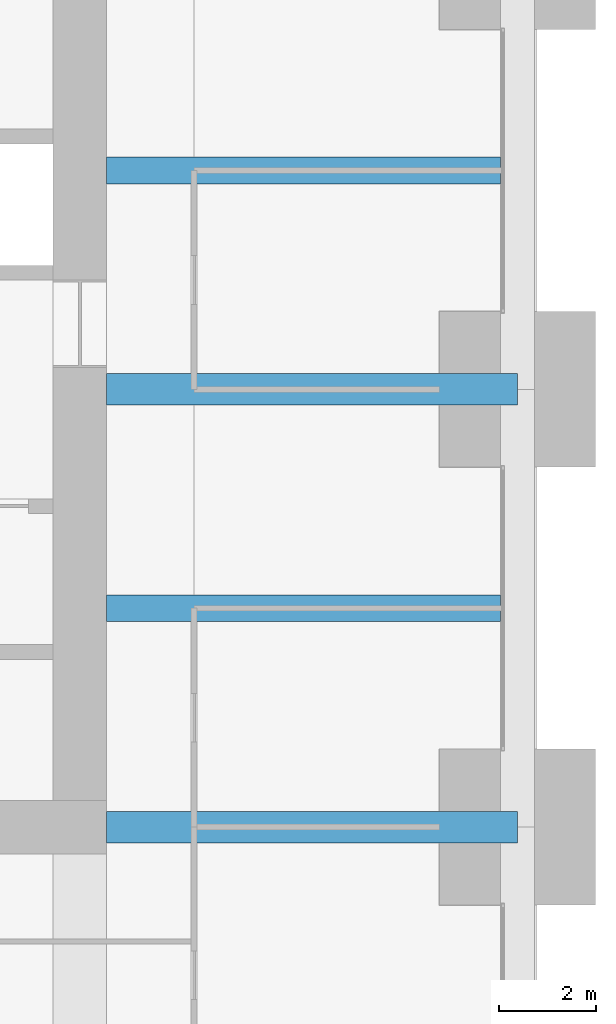
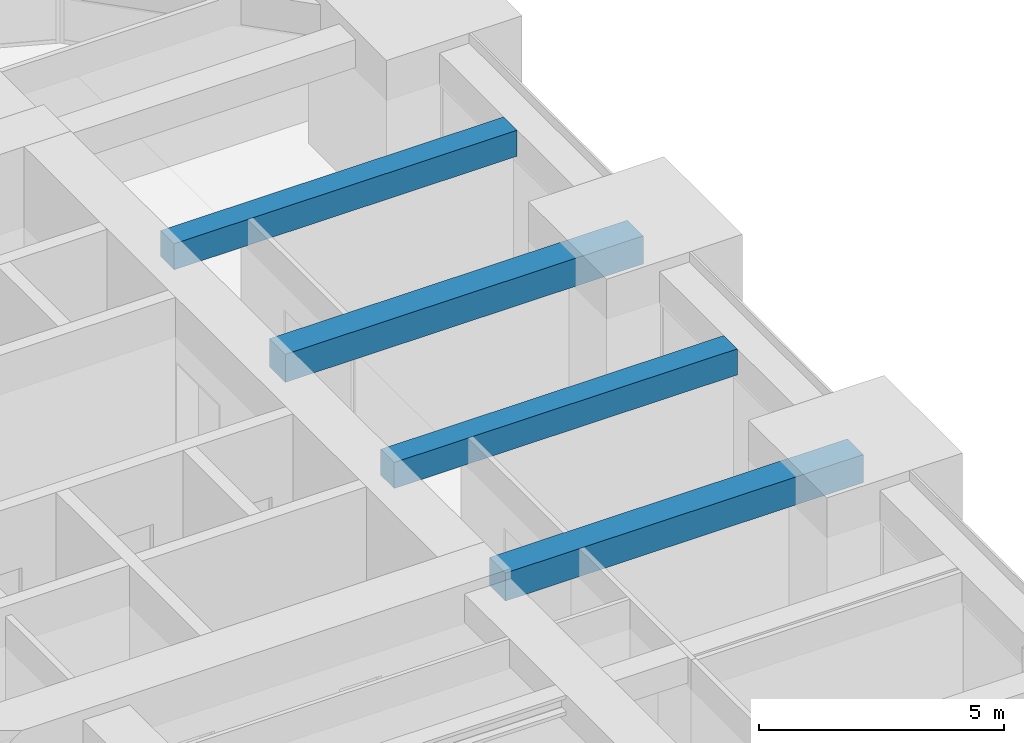
# One storey, part 20 of 40: 4 beams.
"""IFC4 building model written with IfcOpenShell, lengths in metres."""

from ifc_helpers import new_model, si_unit, direction, frame, origin, origin_2d, place, context, subcontext, project, spatial, rectangle, extrude, material, material_profile, profile_set, type_object, element, save


model = new_model("IFC4")

# Units and contexts
model_context = context("Model", 3, precision=1e-05, world=origin(), true_north=direction((0.0, 1.0)))
body_context = subcontext(model_context, "Body", "Model", "MODEL_VIEW")
ifc_project = project(units=[si_unit("LENGTHUNIT", "METRE"), si_unit("AREAUNIT", "SQUARE_METRE"), si_unit("VOLUMEUNIT", "CUBIC_METRE"), si_unit("PLANEANGLEUNIT", "RADIAN"), si_unit("MASSUNIT", "GRAM", prefix="KILO")], contexts=[model_context])

# Site, building, storey
site_placement = place(None, origin())
site = spatial("IfcSite", under=ifc_project, at=site_placement, CompositionType="ELEMENT")
building_placement = place(site_placement, origin())
building = spatial("IfcBuilding", under=site, at=building_placement, Name="Zorevar Civic Tower", CompositionType="ELEMENT")
storey_placement = place(building_placement, frame((0.0, 0.0, 239.39990234375)))
storey = spatial("IfcBuildingStorey", under=building, at=storey_placement, Name="L58", CompositionType="ELEMENT", Elevation=239.39990234375)

# Beams
ifc_material_1 = material(Name="Concrete C50/60", Category="concrete")
ifc_material_profile_1 = material_profile(ifc_material_1, rectangle(XDim=0.550048828125, YDim=0.64990234375, at=origin_2d()), Name="RC 550x650")
ifc_profile_set_1 = profile_set([ifc_material_profile_1], Name="Concrete C50/60")
beam_type_1 = type_object("IfcBeamType", Name="Beam RC 550x650", PredefinedType="BEAM", material=ifc_profile_set_1)
for number, where, z_axis, x_axis, name in (
    (1, (45.550048828125, 22.5, 3.425048828125), (1.0, 0.0, 0.0), (0.0, 1.0, 0.0), "Secondary beam L59"),
    (2, (45.550048828125, 31.5, 3.425048828125), (1.0, 0.0, 0.0), (0.0, 1.0, 0.0), "Secondary beam L59"),
):
    element("IfcBeam", number, at=place(storey_placement, frame(where, z_axis=z_axis, x_axis=x_axis)), inside=storey, type_object=beam_type_1, Name=name, PredefinedType="BEAM", context=body_context, shape_type="SweptSolid", body=[
        extrude(rectangle(XDim=0.550048828125, YDim=0.64990234375, at=origin_2d()), origin(), (0.0, 0.0, 1.0), 8.099853515625),
    ])
ifc_material_2 = material(Name="Concrete C50/60", Category="concrete")
ifc_material_profile_2 = material_profile(ifc_material_2, rectangle(XDim=0.64990234375, YDim=0.699951171875, at=origin_2d()), Name="RC 650x700")
ifc_profile_set_2 = profile_set([ifc_material_profile_2], Name="Concrete C50/60")
beam_type_2 = type_object("IfcBeamType", Name="Beam RC 650x700", PredefinedType="BEAM", material=ifc_profile_set_2)
for number, where, z_axis, x_axis, name in (
    (3, (45.550048828125, 18.0, 3.400146484375), (1.0, 0.0, 0.0), (0.0, 1.0, 0.0), "Girder L59"),
    (4, (45.550048828125, 27.0, 3.400146484375), (1.0, 0.0, 0.0), (0.0, 1.0, 0.0), "Girder L59"),
):
    element("IfcBeam", number, at=place(storey_placement, frame(where, z_axis=z_axis, x_axis=x_axis)), inside=storey, type_object=beam_type_2, Name=name, PredefinedType="BEAM", context=body_context, shape_type="SweptSolid", body=[
        extrude(rectangle(XDim=0.64990234375, YDim=0.699951171875, at=origin_2d()), origin(), (0.0, 0.0, 1.0), 8.449951171875),
    ])

save(model, "model.ifc")
